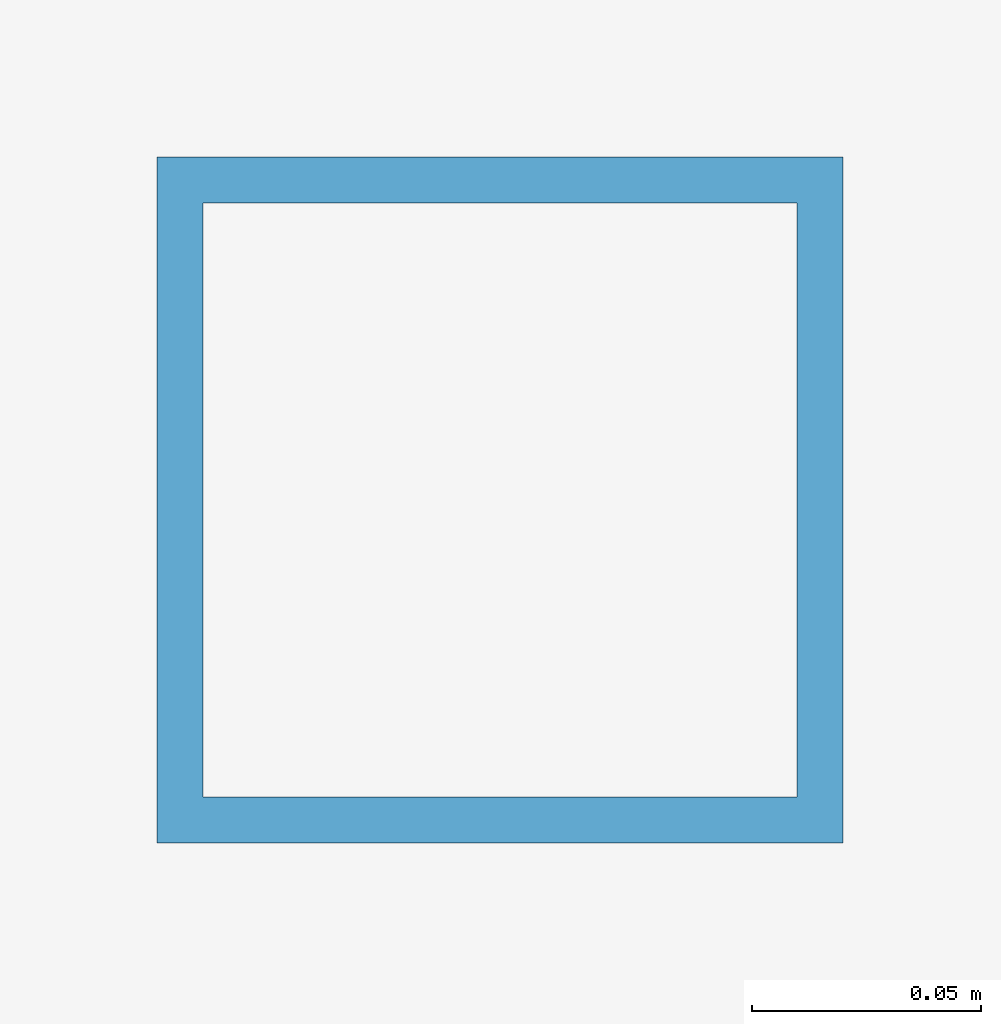
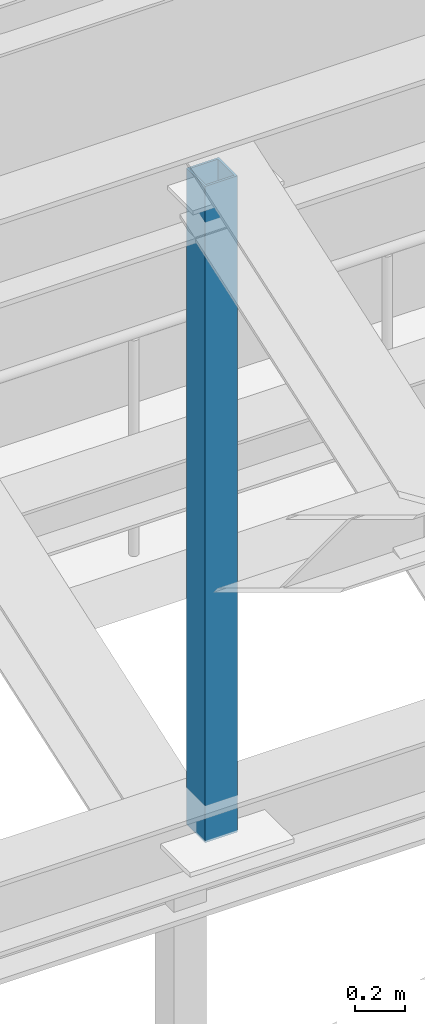
# One storey, part 27 of 76: 1 member.
"""IFC4 building model written with IfcOpenShell, lengths in metres."""

from ifc_helpers import new_model, si_unit, direction, frame, origin, origin_2d, place, context, subcontext, project, spatial, hollow_rectangle, extrude, material, material_profile, profile_set, type_object, element, save


model = new_model("IFC4")

# Units and contexts
model_context = context("Model", 3, precision=1e-05, world=origin(), true_north=direction((0.0, 1.0)))
body_context = subcontext(model_context, "Body", "Model", "MODEL_VIEW")
ifc_project = project(units=[si_unit("LENGTHUNIT", "METRE"), si_unit("AREAUNIT", "SQUARE_METRE"), si_unit("VOLUMEUNIT", "CUBIC_METRE"), si_unit("PLANEANGLEUNIT", "RADIAN"), si_unit("MASSUNIT", "GRAM", prefix="KILO")], contexts=[model_context])

# Site, building, storey
site_placement = place(None, origin())
site = spatial("IfcSite", under=ifc_project, at=site_placement, CompositionType="ELEMENT")
building_placement = place(site_placement, origin())
building = spatial("IfcBuilding", under=site, at=building_placement, Name="Cinchona Park Media Centre", CompositionType="ELEMENT")
storey_placement = place(building_placement, frame((0.0, 0.0, 15.60009765625)))
storey = spatial("IfcBuildingStorey", under=building, at=storey_placement, Name="L03", CompositionType="ELEMENT", Elevation=15.60009765625)

# Member
ifc_material = material(Name="Steel S355", Category="steel")
ifc_material_profile = material_profile(ifc_material, hollow_rectangle(XDim=0.14990234375, YDim=0.14990234375, WallThickness=0.010009765625, at=origin_2d()), Name="150X150X10SHS")
ifc_profile_set = profile_set([ifc_material_profile], Name="Steel S355")
member_type = type_object("IfcMemberType", Name="MEMBER-TS03-SHS150X150X10", PredefinedType="STRUT", material=ifc_profile_set)
member_placement = place(storey_placement, frame((30.3798828125, 109.75, 4.2998046875), z_axis=(0.0, 0.0, 1.0), x_axis=(1.0, 0.0, 0.0)))
element("IfcMember", 1, at=member_placement, inside=storey, type_object=member_type, Name="ROOF TRUSS Monitor Post V2 Bay 1", PredefinedType="STRUT", context=body_context, shape_type="SweptSolid", body=[
    extrude(hollow_rectangle(XDim=0.14990234375, YDim=0.14990234375, WallThickness=0.010009765625, at=origin_2d()), origin(), (0.0, 0.0, 1.0), 3.2001953125),
])

save(model, "model.ifc")
